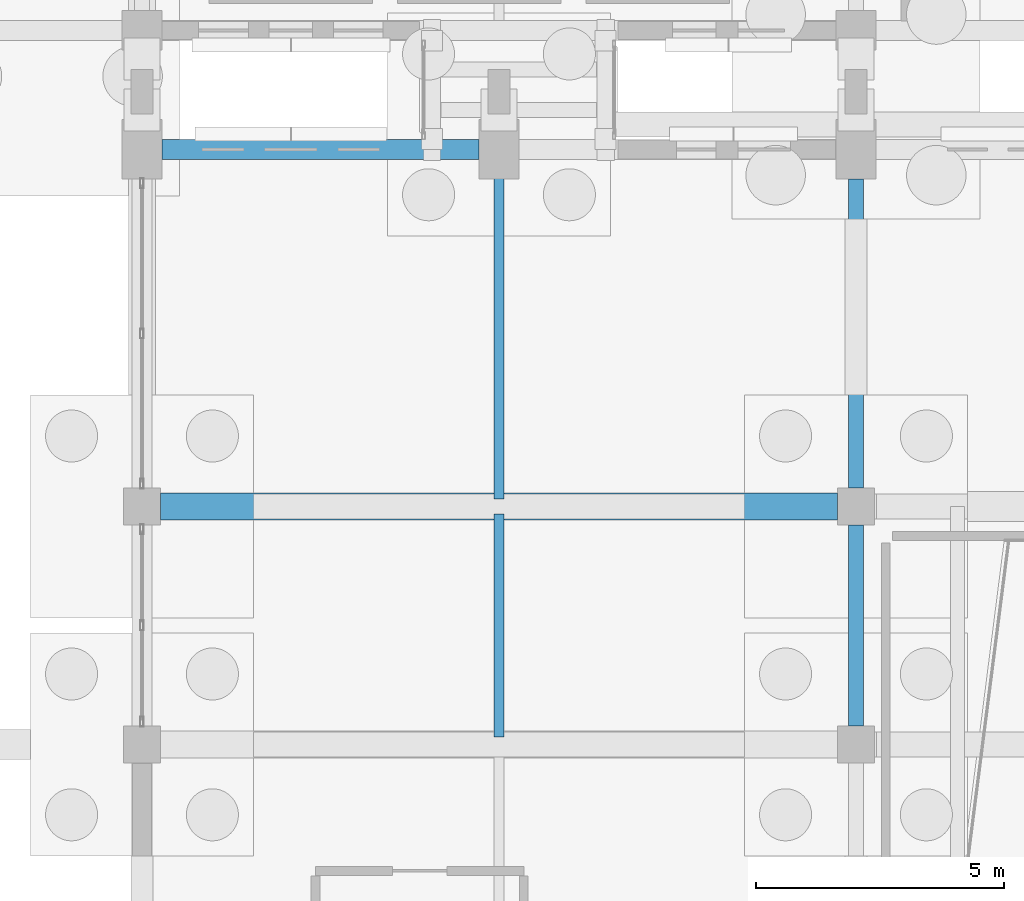
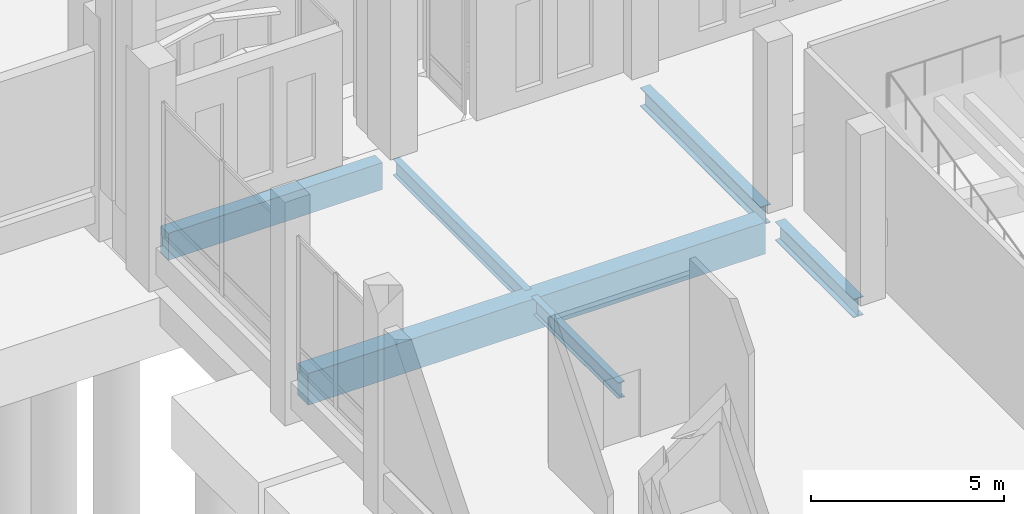
# One storey, part 110 of 192: 6 beams.
"""IFC4 building model written with IfcOpenShell, lengths in metres."""

from ifc_helpers import new_model, si_unit, direction, frame, origin, origin_2d, place, context, subcontext, project, spatial, rectangle, i_section, extrude, material, material_profile, profile_set, type_object, element, save


model = new_model("IFC4")

# Units and contexts
model_context = context("Model", 3, precision=1e-05, world=origin(), true_north=direction((0.0, 1.0)))
body_context = subcontext(model_context, "Body", "Model", "MODEL_VIEW")
ifc_project = project(units=[si_unit("LENGTHUNIT", "METRE"), si_unit("AREAUNIT", "SQUARE_METRE"), si_unit("VOLUMEUNIT", "CUBIC_METRE"), si_unit("PLANEANGLEUNIT", "RADIAN"), si_unit("MASSUNIT", "GRAM", prefix="KILO")], contexts=[model_context])

# Site, building, storey
site_placement = place(None, origin())
site = spatial("IfcSite", under=ifc_project, at=site_placement, CompositionType="ELEMENT")
building_placement = place(site_placement, origin())
building = spatial("IfcBuilding", under=site, at=building_placement, Name="Cendralis Lancet Convention Centre", CompositionType="ELEMENT")
storey_placement = place(building_placement, origin())
storey = spatial("IfcBuildingStorey", under=building, at=storey_placement, Name="L00", CompositionType="ELEMENT", Elevation=0.0)

# Beams
ifc_material_1 = material(Name="Concrete G40 (C40/50)", Category="concrete")
ifc_material_profile_1 = material_profile(ifc_material_1, rectangle(XDim=0.550048828125, YDim=1.0, at=origin_2d()), Name="RCB 550x1000")
ifc_profile_set_1 = profile_set([ifc_material_profile_1], Name="Concrete G40 (C40/50)")
beam_type_1 = type_object("IfcBeamType", Name="STR-BM-BG05", PredefinedType="BEAM", material=ifc_profile_set_1)
beam_1_placement = place(storey_placement, frame((139.574951171875, 84.0, -0.820068359375), z_axis=(1.0, 0.0, 0.0), x_axis=(0.0, 1.0, 0.0)))
element("IfcBeam", 1, at=beam_1_placement, inside=storey, type_object=beam_type_1, Name="L00 Beam BG05 #1364", PredefinedType="BEAM", context=body_context, shape_type="SweptSolid", body=[
    extrude(rectangle(XDim=0.550048828125, YDim=1.0, at=origin_2d()), origin(), (0.0, 0.0, 1.0), 13.650146484375),
])
ifc_material_2 = material(Name="Steel S355", Category="steel")
ifc_material_profile_2 = material_profile(ifc_material_2, i_section(OverallWidth=0.300048828125, OverallDepth=0.590087890625, WebThickness=0.012939453125, FlangeThickness=0.02490234375, FilletRadius=0.027099609375, at=origin_2d()), Name="HEA 600")
ifc_profile_set_2 = profile_set([ifc_material_profile_2], Name="Steel S355")
beam_type_2 = type_object("IfcBeamType", Name="STR-BM-SG10", PredefinedType="BEAM", material=ifc_profile_set_2)
beam_2_placement = place(storey_placement, frame((153.60009765625, 79.574951171875, -0.614990234375), z_axis=(0.0, 1.0, 0.0), x_axis=(-1.0, 0.0, 0.0)))
element("IfcBeam", 2, at=beam_2_placement, inside=storey, type_object=beam_type_2, Name="L00 Beam SG10 #1375", PredefinedType="BEAM", context=body_context, shape_type="SweptSolid", body=[
    extrude(i_section(OverallWidth=0.300048828125, OverallDepth=0.590087890625, WebThickness=0.012939453125, FlangeThickness=0.02490234375, FilletRadius=0.027099609375, at=origin_2d()), origin(), (0.0, 0.0, 1.0), 4.050048828125),
])
beam_3_placement = place(storey_placement, frame((153.60009765625, 84.375, -0.614990234375), z_axis=(0.0, 1.0, 0.0), x_axis=(-1.0, 0.0, 0.0)))
element("IfcBeam", 3, at=beam_3_placement, inside=storey, type_object=beam_type_2, Name="L00 Beam SG10 #1376", PredefinedType="BEAM", context=body_context, shape_type="SweptSolid", body=[
    extrude(i_section(OverallWidth=0.300048828125, OverallDepth=0.590087890625, WebThickness=0.012939453125, FlangeThickness=0.02490234375, FilletRadius=0.027099609375, at=origin_2d()), origin(), (0.0, 0.0, 1.0), 6.22509765625),
])
ifc_material_profile_3 = material_profile(ifc_material_2, i_section(OverallWidth=0.199951171875, OverallDepth=0.5, WebThickness=0.01025390625, FlangeThickness=0.01611328125, FilletRadius=0.02099609375, at=origin_2d()), Name="IPE 500")
ifc_profile_set_3 = profile_set([ifc_material_profile_3], Name="Steel S355")
beam_type_3 = type_object("IfcBeamType", Name="STR-JS-BJ06", PredefinedType="JOIST", material=ifc_profile_set_3)
beam_4_placement = place(storey_placement, frame((146.39990234375, 79.35009765625, -0.570068359375), z_axis=(0.0, 1.0, 0.0), x_axis=(-1.0, 0.0, 0.0)))
element("IfcBeam", 4, at=beam_4_placement, inside=storey, type_object=beam_type_3, Name="L00 Beam BJ06 #1389", PredefinedType="JOIST", context=body_context, shape_type="SweptSolid", body=[
    extrude(i_section(OverallWidth=0.199951171875, OverallDepth=0.5, WebThickness=0.01025390625, FlangeThickness=0.01611328125, FilletRadius=0.02099609375, at=origin_2d()), origin(), (0.0, 0.0, 1.0), 4.5),
])
beam_5_placement = place(storey_placement, frame((146.39990234375, 84.14990234375, -0.570068359375), z_axis=(0.0, 1.0, 0.0), x_axis=(-1.0, 0.0, 0.0)))
element("IfcBeam", 5, at=beam_5_placement, inside=storey, type_object=beam_type_3, Name="L00 Beam BJ06 #1390", PredefinedType="JOIST", context=body_context, shape_type="SweptSolid", body=[
    extrude(i_section(OverallWidth=0.199951171875, OverallDepth=0.5, WebThickness=0.01025390625, FlangeThickness=0.01611328125, FilletRadius=0.02099609375, at=origin_2d()), origin(), (0.0, 0.0, 1.0), 6.85009765625),
])
ifc_material_profile_4 = material_profile(ifc_material_1, rectangle(XDim=0.39990234375, YDim=0.85009765625, at=origin_2d()), Name="RCB 400x850")
ifc_profile_set_4 = profile_set([ifc_material_profile_4], Name="Concrete G40 (C40/50)")
beam_type_4 = type_object("IfcBeamType", Name="STR-SP-SP02", PredefinedType="SPANDREL", material=ifc_profile_set_4)
beam_6_placement = place(storey_placement, frame((139.60009765625, 91.199951171875, -0.7451171875), z_axis=(1.0, 0.0, 0.0), x_axis=(0.0, 1.0, 0.0)))
element("IfcBeam", 6, at=beam_6_placement, inside=storey, type_object=beam_type_4, Name="L00 Beam SP02 #1346", PredefinedType="SPANDREL", context=body_context, shape_type="SweptSolid", body=[
    extrude(rectangle(XDim=0.39990234375, YDim=0.85009765625, at=origin_2d()), origin(), (0.0, 0.0, 1.0), 6.39990234375),
])

save(model, "model.ifc")
